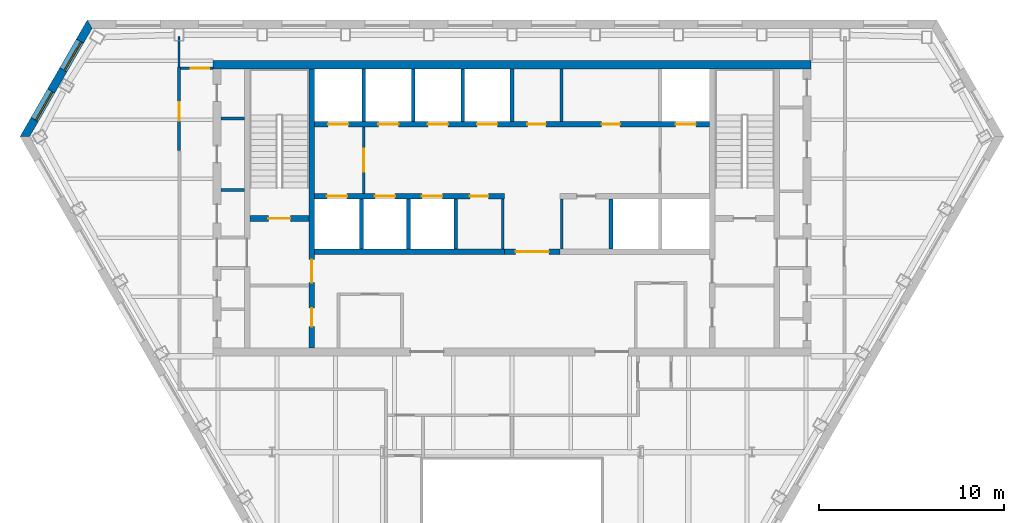
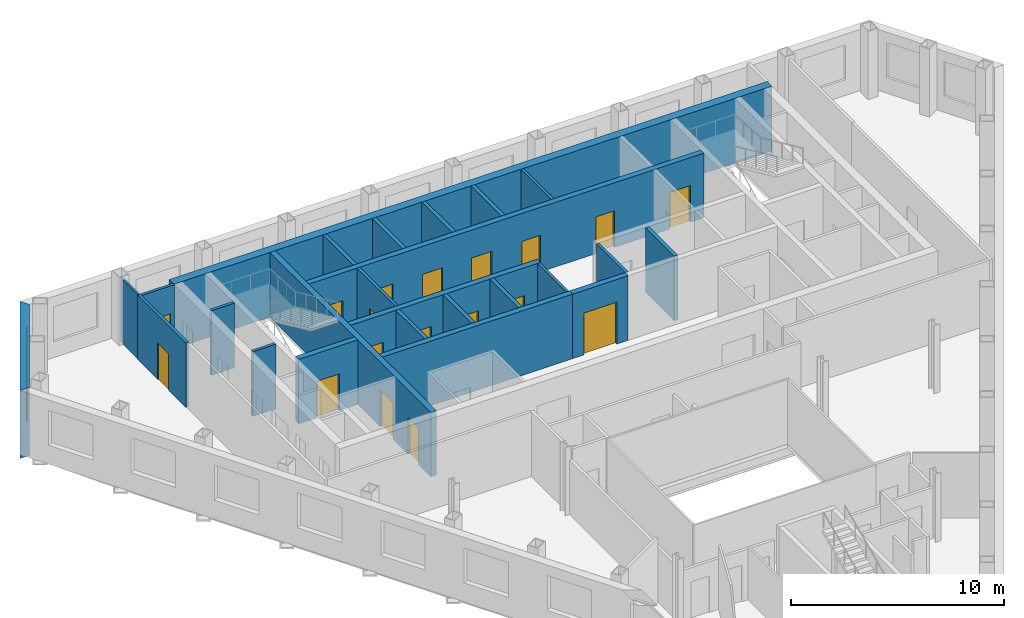
# One storey, part 6 of 11: 25 walls, 18 doors, 2 windows, 20 openings.
"""IFC4 building model written with IfcOpenShell, lengths in metres."""

import ifcopenshell
import ifcopenshell.guid

model = None  # the IFC model being written
_history = None  # IfcOwnerHistory: only IFC2X3 demands one
_inside = {}  # id of a spatial element -> (the spatial element, [elements in it])
_under = {}  # id of a project, library or spatial element -> (it, [spatial elements below it])
_declared = {}  # id of a project -> (the project, [libraries it declares])
_typed = {}  # id of a type object -> (the type object, [elements of that type])
_made_of = {}  # id of a material, layer set ... -> (it, [elements and type objects made of it])


def new_model(schema):
    """Start an empty IFC model of exactly this schema.

    Asked for "IFC4X3", IfcOpenShell would pick the latest addendum, in which some entities
    have other attributes; the version numbers below select the first issue.
    IFC2X3 requires an IfcOwnerHistory on every rooted entity: one is made here for all.
    """
    global model, _history
    if schema == "IFC4X3":
        model = ifcopenshell.file(schema_version=(4, 3, 0, 0))
    else:
        model = ifcopenshell.file(schema=schema)
    _inside.clear()
    _under.clear()
    _declared.clear()
    _typed.clear()
    _made_of.clear()
    _history = None
    if model.schema == "IFC2X3":
        org = make("IfcOrganization", Name="unknown")
        user = make(
            "IfcPersonAndOrganization",
            ThePerson=make("IfcPerson", FamilyName="unknown"),
            TheOrganization=org,
        )
        app = make(
            "IfcApplication",
            ApplicationDeveloper=org,
            Version="unknown",
            ApplicationFullName="unknown",
            ApplicationIdentifier="unknown",
        )
        _history = make(
            "IfcOwnerHistory",
            OwningUser=user,
            OwningApplication=app,
            ChangeAction="ADDED",
            CreationDate=0,
        )
    return model


def make(cls, **values):
    """One entity of the class cls with the attributes given. An attribute that is None is left unset."""
    return model.create_entity(
        cls, **{name: value for name, value in values.items() if value is not None}
    )


def rooted(cls, **values):
    """An entity with a GlobalId (a new one), such as an element, a storey or a relation."""
    return make(cls, GlobalId=ifcopenshell.guid.new(), OwnerHistory=_history, **values)


def si_unit(unit_type, name, prefix=None):
    """IfcSIUnit, for example si_unit("LENGTHUNIT", "METRE", prefix="MILLI")."""
    return make("IfcSIUnit", UnitType=unit_type, Prefix=prefix, Name=name)


def assignment(units):
    """IfcUnitAssignment: the units of a project."""
    return None if units is None else make("IfcUnitAssignment", Units=units)


def point(xyz):
    """IfcCartesianPoint."""
    return None if xyz is None else make("IfcCartesianPoint", Coordinates=xyz)


def direction(xyz):
    """IfcDirection."""
    return None if xyz is None else make("IfcDirection", DirectionRatios=xyz)


def frame(location, z_axis=None, x_axis=None):
    """IfcAxis2Placement3D, a coordinate frame: its origin and axes. An axis left out is left unset."""
    return make(
        "IfcAxis2Placement3D",
        Location=point(location),
        Axis=direction(z_axis),
        RefDirection=direction(x_axis),
    )


def frame_2d(location, x_axis=None):
    """IfcAxis2Placement2D, a coordinate frame in the plane: its origin and x axis."""
    return make(
        "IfcAxis2Placement2D", Location=point(location), RefDirection=direction(x_axis)
    )


def origin():
    """The frame at (0, 0, 0) with its axes left unset."""
    return frame((0.0, 0.0, 0.0))


def place(relative_to, where):
    """IfcLocalPlacement: puts the frame where relative to a parent placement (None: the world)."""
    return make(
        "IfcLocalPlacement", PlacementRelTo=relative_to, RelativePlacement=where
    )


def context(
    kind, dimensions, precision=None, world=None, true_north=None, identifier=None
):
    """IfcGeometricRepresentationContext, for example the 3D "Model" context."""
    return make(
        "IfcGeometricRepresentationContext",
        ContextIdentifier=identifier,
        ContextType=kind,
        CoordinateSpaceDimension=dimensions,
        Precision=precision,
        WorldCoordinateSystem=world,
        TrueNorth=true_north,
    )


def subcontext(parent, identifier, kind, view, scale=None):
    """IfcGeometricRepresentationSubContext, for example "Body" below "Model"."""
    return make(
        "IfcGeometricRepresentationSubContext",
        ContextIdentifier=identifier,
        ContextType=kind,
        ParentContext=parent,
        TargetScale=scale,
        TargetView=view,
    )


def project(units=None, contexts=None):
    """IfcProject with its units and contexts."""
    return rooted(
        "IfcProject",
        Name="project",
        RepresentationContexts=contexts,
        UnitsInContext=assignment(units),
    )


def spatial(cls, under=None, at=None, **own):
    """A site, building, storey or space (cls), placed at a placement, below another one or the project."""
    s = rooted(cls, ObjectPlacement=at, **own)
    if under is not None:
        _under.setdefault(under.id(), (under, []))[1].append(s)
    return s


def polyline(points):
    """IfcPolyline through the points."""
    return make("IfcPolyline", Points=[point(p) for p in points])


def profile(cls, at=None, kind="AREA", **sizes):
    """A parametric profile (cls). Its sizes go by their IFC names, for example OverallWidth=200.0."""
    return make(cls, ProfileType=kind, Position=at, **sizes)


def rectangle(**sizes):
    """IfcRectangleProfileDef."""
    return profile("IfcRectangleProfileDef", **sizes)


def outline(outer, holes=None, kind="AREA"):
    """IfcArbitraryClosedProfileDef: a profile drawn as a closed curve; with holes, ...WithVoids."""
    if holes is None:
        return make("IfcArbitraryClosedProfileDef", ProfileType=kind, OuterCurve=outer)
    return make(
        "IfcArbitraryProfileDefWithVoids",
        ProfileType=kind,
        OuterCurve=outer,
        InnerCurves=holes,
    )


def extrude(swept, where, along, depth):
    """IfcExtrudedAreaSolid: the profile swept, set in the frame where, extruded along a direction by depth."""
    return make(
        "IfcExtrudedAreaSolid",
        SweptArea=swept,
        Position=where,
        ExtrudedDirection=direction(along),
        Depth=depth,
    )


def shape(context_of_items, identifier, shape_type, items):
    """IfcShapeRepresentation: the items that make up one representation, for example the "Body"."""
    return make(
        "IfcShapeRepresentation",
        ContextOfItems=context_of_items,
        RepresentationIdentifier=identifier,
        RepresentationType=shape_type,
        Items=items,
    )


def material(Name=None, Category=None):
    """IfcMaterial."""
    return make("IfcMaterial", Name=Name, Category=Category)


def layer(
    of_material, thickness, ventilated=None, Name=None, Category=None, Priority=None
):
    """IfcMaterialLayer: one layer of a wall or slab, of a material (None: an air gap)."""
    return make(
        "IfcMaterialLayer",
        Material=of_material,
        LayerThickness=thickness,
        IsVentilated=ventilated,
        Name=Name,
        Category=Category,
        Priority=Priority,
    )


def layer_set(layers, Name=None):
    """IfcMaterialLayerSet."""
    return make("IfcMaterialLayerSet", MaterialLayers=layers, LayerSetName=Name)


def made_of(thing, what):
    """Note that an element or type object is made of a material, layer set ...; save() writes the relation."""
    if what is not None:
        _made_of.setdefault(what.id(), (what, []))[1].append(thing)
    return thing


def type_object(cls, material=None, **own):
    """A type object (cls), such as IfcWallType, which elements share."""
    return made_of(rooted(cls, **own), material)


def element(
    cls,
    number,
    at=None,
    inside=None,
    cuts=None,
    type_object=None,
    material=None,
    context=None,
    identifier="Body",
    shape_type=None,
    held_by="IfcProductDefinitionShape",
    body=None,
    shapes=None,
    **own,
):
    """One element of the class cls, such as IfcWall. Its Tag is "e" and its number.

    at: its placement. inside: the storey or other place that contains it. cuts: it is an
    opening in that element (IfcRelVoidsElement). A single representation is given by context,
    identifier, shape_type and body (its items); several are given by shapes. held_by: the class
    of the entity that holds the representations. save() writes the other relations.
    """
    e = rooted(cls, Tag="e%d" % number, ObjectPlacement=at, **own)
    if body is not None:
        shapes = [shape(context, identifier, shape_type, body)]
    if shapes is not None:
        e.Representation = make(held_by, Representations=shapes)
    if inside is not None:
        _inside.setdefault(inside.id(), (inside, []))[1].append(e)
    if cuts is not None:
        rooted(
            "IfcRelVoidsElement", RelatingBuildingElement=cuts, RelatedOpeningElement=e
        )
    if type_object is not None:
        _typed.setdefault(type_object.id(), (type_object, []))[1].append(e)
    return made_of(e, material)


def fill(opening, filler):
    """IfcRelFillsElement: the door or window that sits in an opening."""
    return rooted(
        "IfcRelFillsElement",
        RelatingOpeningElement=opening,
        RelatedBuildingElement=filler,
    )


def aggregate(whole, parts):
    """IfcRelAggregates: a whole, such as a stair, and the parts it consists of."""
    return rooted("IfcRelAggregates", RelatingObject=whole, RelatedObjects=parts)


def save(model, path):
    """Write the relations noted so far, then the file.

    IfcRelAggregates (storeys below a building ...), IfcRelContainedInSpatialStructure (elements
    in a storey), IfcRelDefinesByType, IfcRelAssociatesMaterial and IfcRelDeclares: one each for
    every whole, place, type object, material and project.
    """
    for whole, parts in _under.values():
        aggregate(whole, parts)
    for where, things in _inside.values():
        rooted(
            "IfcRelContainedInSpatialStructure",
            RelatedElements=things,
            RelatingStructure=where,
        )
    for kind, things in _typed.values():
        rooted("IfcRelDefinesByType", RelatedObjects=things, RelatingType=kind)
    for what, things in _made_of.values():
        rooted("IfcRelAssociatesMaterial", RelatedObjects=things, RelatingMaterial=what)
    for by, libraries in _declared.values():
        rooted("IfcRelDeclares", RelatingContext=by, RelatedDefinitions=libraries)
    model.write(path)


model = new_model("IFC4")

# Units and contexts
model_context = context("Model", 3, precision=1e-05, world=origin(), true_north=direction((0.0, 1.0)))
body_context = subcontext(model_context, "Body", "Model", "MODEL_VIEW")
ifc_project = project(units=[si_unit("LENGTHUNIT", "METRE"), si_unit("AREAUNIT", "SQUARE_METRE"), si_unit("VOLUMEUNIT", "CUBIC_METRE"), si_unit("PLANEANGLEUNIT", "RADIAN"), si_unit("MASSUNIT", "GRAM", prefix="KILO")], contexts=[model_context])

# Site, building, storey
site_placement = place(None, origin())
site = spatial("IfcSite", under=ifc_project, at=site_placement, CompositionType="ELEMENT")
building_placement = place(site_placement, origin())
building = spatial("IfcBuilding", under=site, at=building_placement, Name="Njiva Tower", CompositionType="ELEMENT")
storey_placement = place(building_placement, frame((0.0, 0.0, 204.3)))
storey = spatial("IfcBuildingStorey", under=building, at=storey_placement, Name="L45", CompositionType="ELEMENT", Elevation=204.3)

# Walls
ifc_material_1 = material(Name="Blockwork", Category="masonry")
ifc_layer_1 = layer(ifc_material_1, 0.15)
ifc_layer_set_1 = layer_set([ifc_layer_1], Name="Blockwork")
wall_type_1 = type_object("IfcWallType", Name="WT1 Compartment partition 150", PredefinedType="PARTITIONING", material=ifc_layer_set_1)
wall_1_placement = place(storey_placement, frame((2.675, 14.7, 0.0), z_axis=(0.0, 0.0, 1.0), x_axis=(0.0, 1.0, 0.0)))
element("IfcWall", 1, at=wall_1_placement, inside=storey, type_object=wall_type_1, Name="Partition CN5", PredefinedType="PARTITIONING", context=body_context, shape_type="SweptSolid", body=[
    extrude(rectangle(XDim=2.85, YDim=0.15, at=frame_2d((1.425, 0.0))), origin(), (0.0, 0.0, 1.0), 3.7),
])
for number, where, z_axis, x_axis, name in (
    (2, (-0.5, 7.8, 0.0), (0.0, 0.0, 1.0), (0.0, 1.0, 0.0), "Partition CS4"),
    (3, (2.7, 7.8, 0.0), (0.0, 0.0, 1.0), (0.0, 1.0, 0.0), "Partition CS5"),
):
    element("IfcWall", number, at=place(storey_placement, frame(where, z_axis=z_axis, x_axis=x_axis)), inside=storey, type_object=wall_type_1, Name=name, PredefinedType="PARTITIONING", context=body_context, shape_type="SweptSolid", body=[
        extrude(rectangle(XDim=2.7, YDim=0.15, at=frame_2d((1.35, 0.0))), origin(), (0.0, 0.0, 1.0), 3.7),
    ])
wall_2_placement = place(storey_placement, frame((-15.75, 10.9952, 0.0), z_axis=(0.0, 0.0, 1.0), x_axis=(1.0, 0.0, 0.0)))
element("IfcWall", 4, at=wall_2_placement, inside=storey, type_object=wall_type_1, Name="Partition strip W10", PredefinedType="PARTITIONING", context=body_context, shape_type="SweptSolid", body=[
    extrude(rectangle(XDim=1.25, YDim=0.15, at=frame_2d((0.625, 0.0))), origin(), (0.0, 0.0, 1.0), 3.7),
])

# Wall, openings, doors
ifc_material_2 = material(Name="Concrete C40/50", Category="concrete")
ifc_layer_2 = layer(ifc_material_2, 0.3)
ifc_layer_set_2 = layer_set([ifc_layer_2], Name="Concrete C40/50")
wall_type_2 = type_object("IfcWallType", Name="WT10 Stair enclosure wall 300", PredefinedType="SHEAR", material=ifc_layer_set_2)
wall_3_placement = place(storey_placement, frame((-10.85, 2.45, 0.0), z_axis=(0.0, 0.0, 1.0), x_axis=(0.0, 1.0, 0.0)))
wall_3 = element("IfcWall", 5, at=wall_3_placement, inside=storey, type_object=wall_type_2, Name="Stair wall west inner", PredefinedType="SHEAR", context=body_context, shape_type="SweptSolid", body=[
    extrude(rectangle(XDim=15.1, YDim=0.3, at=frame_2d((7.55, 0.0))), origin(), (0.0, 0.0, 1.0), 3.7),
])
opening_1_placement = place(wall_3_placement, frame((3.525, 0.0, 0.0)))
opening_1 = element("IfcOpeningElement", 6, at=opening_1_placement, cuts=wall_3, Name="Opening S15-D915", PredefinedType="OPENING", context=body_context, shape_type="SweptSolid", body=[
    extrude(rectangle(XDim=1.25, YDim=2.1, at=frame_2d((0.625, 1.05))), frame((0.0, 0.16, 0.0), z_axis=(0.0, -1.0, 0.0), x_axis=(1.0, 0.0, 0.0)), (0.0, 0.0, 1.0), 0.32),
])
opening_2_placement = place(wall_3_placement, frame((1.15, 0.0, 0.0)))
opening_2 = element("IfcOpeningElement", 7, at=opening_2_placement, cuts=wall_3, Name="Opening S15-D916", PredefinedType="OPENING", context=body_context, shape_type="SweptSolid", body=[
    extrude(rectangle(XDim=1.0, YDim=2.1, at=frame_2d((0.5, 1.05))), frame((0.0, 0.16, 0.0), z_axis=(0.0, -1.0, 0.0), x_axis=(1.0, 0.0, 0.0)), (0.0, 0.0, 1.0), 0.32),
])
ifc_material_3 = material(Name="Steel door, painted", Category="steel")
door_type_1 = type_object("IfcDoorType", Name="D5 Steel door 1000x2100", OperationType="SINGLE_SWING_LEFT", PredefinedType="DOOR", material=ifc_material_3)
door_1_placement = place(opening_2_placement, origin())
door_1 = element("IfcDoor", 8, at=door_1_placement, inside=storey, type_object=door_type_1, Name="Breakout room door", OperationType="SINGLE_SWING_RIGHT", OverallHeight=2.1, OverallWidth=1.0, PredefinedType="DOOR", context=body_context, shape_type="SweptSolid", body=[
    extrude(rectangle(XDim=1.0, YDim=2.1, at=frame_2d((0.5, 1.05))), frame((0.0, 0.025, 0.0), z_axis=(0.0, -1.0, 0.0), x_axis=(1.0, 0.0, 0.0)), (0.0, 0.0, 1.0), 0.05),
])
fill(opening_2, door_1)
ifc_material_4 = material(Name="Glazed steel fire door", Category="steel")
door_type_2 = type_object("IfcDoorType", Name="D8 Vestibule corridor door 1250x2100 glazed", OperationType="SINGLE_SWING_LEFT", PredefinedType="DOOR", material=ifc_material_4)
door_2_placement = place(opening_1_placement, origin())
door_2 = element("IfcDoor", 9, at=door_2_placement, inside=storey, type_object=door_type_2, Name="Stair vestibule corridor door", OperationType="SINGLE_SWING_LEFT", OverallHeight=2.1, OverallWidth=1.25, PredefinedType="DOOR", context=body_context, shape_type="SweptSolid", body=[
    extrude(rectangle(XDim=1.25, YDim=2.1, at=frame_2d((0.625, 1.05))), frame((0.0, 0.025, 0.0), z_axis=(0.0, -1.0, 0.0), x_axis=(1.0, 0.0, 0.0)), (0.0, 0.0, 1.0), 0.05),
])
fill(opening_1, door_2)

# Wall, opening, door
wall_4_placement = place(storey_placement, frame((-14.2, 9.45, 0.0), z_axis=(0.0, 0.0, 1.0), x_axis=(1.0, 0.0, 0.0)))
wall_4 = element("IfcWall", 10, at=wall_4_placement, inside=storey, type_object=wall_type_2, Name="Stair A south wall", PredefinedType="SHEAR", context=body_context, shape_type="SweptSolid", body=[
    extrude(rectangle(XDim=3.2, YDim=0.3, at=frame_2d((1.6, 0.0))), origin(), (0.0, 0.0, 1.0), 3.7),
])
opening_3_placement = place(wall_4_placement, frame((1.0, 0.0, 0.0)))
opening_3 = element("IfcOpeningElement", 11, at=opening_3_placement, cuts=wall_4, Name="Opening S15-D914", PredefinedType="OPENING", context=body_context, shape_type="SweptSolid", body=[
    extrude(rectangle(XDim=1.2, YDim=2.1, at=frame_2d((0.6, 1.05))), frame((0.0, 0.16, 0.0), z_axis=(0.0, -1.0, 0.0), x_axis=(1.0, 0.0, 0.0)), (0.0, 0.0, 1.0), 0.32),
])
door_type_3 = type_object("IfcDoorType", Name="D7 Stair vestibule door 1200x2100 glazed", OperationType="SINGLE_SWING_LEFT", PredefinedType="DOOR", material=ifc_material_4)
door_3_placement = place(opening_3_placement, origin())
door_3 = element("IfcDoor", 12, at=door_3_placement, inside=storey, type_object=door_type_3, Name="Stair A door", OperationType="SINGLE_SWING_LEFT", OverallHeight=2.1, OverallWidth=1.2, PredefinedType="DOOR", context=body_context, shape_type="SweptSolid", body=[
    extrude(rectangle(XDim=1.2, YDim=2.1, at=frame_2d((0.6, 1.05))), frame((0.0, 0.025, 0.0), z_axis=(0.0, -1.0, 0.0), x_axis=(1.0, 0.0, 0.0)), (0.0, 0.0, 1.0), 0.05),
])
fill(opening_3, door_3)

# Wall
ifc_material_5 = material(Name="Concrete C60/75", Category="concrete")
ifc_layer_3 = layer(ifc_material_5, 0.45)
ifc_layer_set_3 = layer_set([ifc_layer_3], Name="Concrete C60/75")
wall_type_3 = type_object("IfcWallType", Name="WT12 Core wall 450", PredefinedType="SHEAR", material=ifc_layer_set_3)
wall_5_placement = place(storey_placement, frame((-16.2, 17.775, 0.0), z_axis=(0.0, 0.0, 1.0), x_axis=(1.0, 0.0, 0.0)))
element("IfcWall", 13, at=wall_5_placement, inside=storey, type_object=wall_type_3, Name="Core wall north", PredefinedType="SHEAR", context=body_context, shape_type="SweptSolid", body=[
    extrude(rectangle(XDim=32.4, YDim=0.45, at=frame_2d((16.2, 0.0))), origin(), (0.0, 0.0, 1.0), 3.7),
])

# Wall, opening, door
ifc_layer_4 = layer(ifc_material_1, 0.15)
ifc_layer_set_4 = layer_set([ifc_layer_4], Name="Blockwork")
wall_type_4 = type_object("IfcWallType", Name="WT2 Lobby partition 150", PredefinedType="PARTITIONING", material=ifc_layer_set_4)
wall_6_placement = place(storey_placement, frame((-8.025, 10.8, 0.0), z_axis=(0.0, 0.0, 1.0), x_axis=(0.0, 1.0, 0.0)))
wall_6 = element("IfcWall", 14, at=wall_6_placement, inside=storey, type_object=wall_type_4, Name="Firefighting lobby wall A", PredefinedType="PARTITIONING", context=body_context, shape_type="SweptSolid", body=[
    extrude(rectangle(XDim=3.6, YDim=0.15, at=frame_2d((1.8, 0.0))), origin(), (0.0, 0.0, 1.0), 3.7),
])
opening_4_placement = place(wall_6_placement, frame((1.175, 0.0, 0.0)))
opening_4 = element("IfcOpeningElement", 15, at=opening_4_placement, cuts=wall_6, Name="Opening S15-D913", PredefinedType="OPENING", context=body_context, shape_type="SweptSolid", body=[
    extrude(rectangle(XDim=1.25, YDim=2.1, at=frame_2d((0.625, 1.05))), frame((0.0, 0.085, 0.0), z_axis=(0.0, -1.0, 0.0), x_axis=(1.0, 0.0, 0.0)), (0.0, 0.0, 1.0), 0.17),
])
door_4_placement = place(opening_4_placement, origin())
door_4 = element("IfcDoor", 16, at=door_4_placement, inside=storey, type_object=door_type_2, Name="Stair vestibule corridor door", OperationType="SINGLE_SWING_RIGHT", OverallHeight=2.1, OverallWidth=1.25, PredefinedType="DOOR", context=body_context, shape_type="SweptSolid", body=[
    extrude(rectangle(XDim=1.25, YDim=2.1, at=frame_2d((0.625, 1.05))), frame((0.0, 0.025, 0.0), z_axis=(0.0, -1.0, 0.0), x_axis=(1.0, 0.0, 0.0)), (0.0, 0.0, 1.0), 0.05),
])
fill(opening_4, door_4)

# Wall
ifc_material_6 = material(Name="Gypsum board on steel studs", Category="gypsum")
ifc_layer_5 = layer(ifc_material_6, 0.1)
ifc_layer_set_5 = layer_set([ifc_layer_5], Name="Gypsum board on steel studs")
wall_type_5 = type_object("IfcWallType", Name="WT20 Gypsum partition 100", PredefinedType="PARTITIONING", material=ifc_layer_set_5)
wall_7_placement = place(storey_placement, frame((-18.031, 17.657, 0.0), z_axis=(0.0, 0.0, 1.0), x_axis=(0.0, 1.0, 0.0)))
element("IfcWall", 17, at=wall_7_placement, inside=storey, type_object=wall_type_5, Name="Partition S15-P002", PredefinedType="PARTITIONING", context=body_context, shape_type="SweptSolid", body=[
    extrude(rectangle(XDim=1.643, YDim=0.1, at=frame_2d((0.8215, 0.0))), origin(), (0.0, 0.0, 1.0), 3.7),
])

# Wall, opening, door
ifc_layer_6 = layer(ifc_material_6, 0.15)
ifc_layer_set_6 = layer_set([ifc_layer_6], Name="Gypsum board on steel studs")
wall_type_6 = type_object("IfcWallType", Name="WT21 Compartment wall 150", PredefinedType="PARTITIONING", material=ifc_layer_set_6)
wall_8_placement = place(storey_placement, frame((-18.031, 13.123, 0.0), z_axis=(0.0, 0.0, 1.0), x_axis=(0.0, 1.0, 0.0)))
wall_8 = element("IfcWall", 18, at=wall_8_placement, inside=storey, type_object=wall_type_6, Name="Partition S15-P001", PredefinedType="PARTITIONING", context=body_context, shape_type="SweptSolid", body=[
    extrude(rectangle(XDim=4.534, YDim=0.15, at=frame_2d((2.267, 0.0))), origin(), (0.0, 0.0, 1.0), 3.7),
])
opening_5_placement = place(wall_8_placement, frame((1.633, 0.0, 0.0)))
opening_5 = element("IfcOpeningElement", 19, at=opening_5_placement, cuts=wall_8, Name="Opening S15-D001", PredefinedType="OPENING", context=body_context, shape_type="SweptSolid", body=[
    extrude(rectangle(XDim=1.0, YDim=2.1, at=frame_2d((0.5, 1.05))), frame((0.0, 0.085, 0.0), z_axis=(0.0, -1.0, 0.0), x_axis=(1.0, 0.0, 0.0)), (0.0, 0.0, 1.0), 0.17),
])
ifc_material_7 = material(Name="Steel fire door set", Category="steel")
door_type_4 = type_object("IfcDoorType", Name="D37 Fire door 1000x2100", OperationType="SINGLE_SWING_LEFT", PredefinedType="DOOR", material=ifc_material_7)
door_5_placement = place(opening_5_placement, origin())
door_5 = element("IfcDoor", 20, at=door_5_placement, inside=storey, type_object=door_type_4, Name="Door S15-D001", OperationType="SINGLE_SWING_RIGHT", OverallHeight=2.1, OverallWidth=1.0, PredefinedType="DOOR", context=body_context, shape_type="SweptSolid", body=[
    extrude(rectangle(XDim=1.0, YDim=2.1, at=frame_2d((0.5, 1.05))), frame((0.0, 0.025, 0.0), z_axis=(0.0, -1.0, 0.0), x_axis=(1.0, 0.0, 0.0)), (0.0, 0.0, 1.0), 0.05),
])
fill(opening_5, door_5)

wall_9_placement = place(storey_placement, frame((-17.956, 17.582, 0.0), z_axis=(0.0, 0.0, 1.0), x_axis=(1.0, 0.0, 0.0)))
wall_9 = element("IfcWall", 21, at=wall_9_placement, inside=storey, type_object=wall_type_6, Name="Partition S15-P004", PredefinedType="PARTITIONING", context=body_context, shape_type="SweptSolid", body=[
    extrude(rectangle(XDim=1.756, YDim=0.15, at=frame_2d((0.878, 0.0))), origin(), (0.0, 0.0, 1.0), 3.7),
])
opening_6_placement = place(wall_9_placement, frame((0.556, 0.0, 0.0)))
opening_6 = element("IfcOpeningElement", 22, at=opening_6_placement, cuts=wall_9, Name="Opening S15-D002", PredefinedType="OPENING", context=body_context, shape_type="SweptSolid", body=[
    extrude(rectangle(XDim=1.0, YDim=2.1, at=frame_2d((0.5, 1.05))), frame((0.0, 0.085, 0.0), z_axis=(0.0, -1.0, 0.0), x_axis=(1.0, 0.0, 0.0)), (0.0, 0.0, 1.0), 0.17),
])
door_6_placement = place(opening_6_placement, origin())
door_6 = element("IfcDoor", 23, at=door_6_placement, inside=storey, type_object=door_type_4, Name="Door S15-D002", OperationType="SINGLE_SWING_LEFT", OverallHeight=2.1, OverallWidth=1.0, PredefinedType="DOOR", context=body_context, shape_type="SweptSolid", body=[
    extrude(rectangle(XDim=1.0, YDim=2.1, at=frame_2d((0.5, 1.05))), frame((0.0, 0.025, 0.0), z_axis=(0.0, -1.0, 0.0), x_axis=(1.0, 0.0, 0.0)), (0.0, 0.0, 1.0), 0.05),
])
fill(opening_6, door_6)

# Wall
ifc_layer_7 = layer(ifc_material_1, 0.15)
ifc_layer_set_7 = layer_set([ifc_layer_7], Name="Blockwork")
wall_type_7 = type_object("IfcWallType", Name="WT3 Riser partition 150", PredefinedType="PARTITIONING", material=ifc_layer_set_7)
wall_10_placement = place(storey_placement, frame((-15.75, 14.8686, 0.0), z_axis=(0.0, 0.0, 1.0), x_axis=(1.0, 0.0, 0.0)))
element("IfcWall", 24, at=wall_10_placement, inside=storey, type_object=wall_type_7, Name="Partition strip W11", PredefinedType="PARTITIONING", context=body_context, shape_type="SweptSolid", body=[
    extrude(rectangle(XDim=1.25, YDim=0.15, at=frame_2d((0.625, 0.0))), origin(), (0.0, 0.0, 1.0), 3.7),
])

# Wall, opening, door
ifc_layer_8 = layer(ifc_material_1, 0.3)
ifc_layer_set_8 = layer_set([ifc_layer_8], Name="Blockwork")
wall_type_8 = type_object("IfcWallType", Name="WT5 Lobby partition 300", PredefinedType="PARTITIONING", material=ifc_layer_set_8)
wall_11_placement = place(storey_placement, frame((-0.4, 7.65, 0.0), z_axis=(0.0, 0.0, 1.0), x_axis=(1.0, 0.0, 0.0)))
wall_11 = element("IfcWall", 25, at=wall_11_placement, inside=storey, type_object=wall_type_8, Name="Lift lobby screen wall", PredefinedType="PARTITIONING", context=body_context, shape_type="SweptSolid", body=[
    extrude(rectangle(XDim=3.0, YDim=0.3, at=frame_2d((1.5, 0.0))), origin(), (0.0, 0.0, 1.0), 3.7),
])
opening_7_placement = place(wall_11_placement, frame((0.6, 0.0, 0.0)))
opening_7 = element("IfcOpeningElement", 26, at=opening_7_placement, cuts=wall_11, Name="Opening S15-D937", PredefinedType="OPENING", context=body_context, shape_type="SweptSolid", body=[
    extrude(rectangle(XDim=1.8, YDim=2.4, at=frame_2d((0.9, 1.2))), frame((0.0, 0.16, 0.0), z_axis=(0.0, -1.0, 0.0), x_axis=(1.0, 0.0, 0.0)), (0.0, 0.0, 1.0), 0.32),
])
ifc_material_8 = material(Name="Steel and glass door", Category="steel")
door_type_5 = type_object("IfcDoorType", Name="D3 Core entrance door 1800x2400", OperationType="DOUBLE_DOOR_SINGLE_SWING", PredefinedType="DOOR", material=ifc_material_8)
door_7_placement = place(opening_7_placement, origin())
door_7 = element("IfcDoor", 27, at=door_7_placement, inside=storey, type_object=door_type_5, Name="Core entrance door", OperationType="DOUBLE_DOOR_SINGLE_SWING", OverallHeight=2.4, OverallWidth=1.8, PredefinedType="DOOR", context=body_context, shape_type="SweptSolid", body=[
    extrude(rectangle(XDim=1.8, YDim=2.4, at=frame_2d((0.9, 1.2))), frame((0.0, 0.025, 0.0), z_axis=(0.0, -1.0, 0.0), x_axis=(1.0, 0.0, 0.0)), (0.0, 0.0, 1.0), 0.05),
])
fill(opening_7, door_7)

# Walls
ifc_layer_9 = layer(ifc_material_2, 0.2)
ifc_layer_set_9 = layer_set([ifc_layer_9], Name="Concrete C40/50")
wall_type_9 = type_object("IfcWallType", Name="WT6 Lift shaft wall 200", PredefinedType="SHEAR", material=ifc_layer_set_9)
for number, where, z_axis, x_axis, name in (
    (28, (-8.025, 14.7, 0.0), (0.0, 0.0, 1.0), (0.0, 1.0, 0.0), "Shaft wall CN1"),
    (29, (-5.35, 14.7, 0.0), (0.0, 0.0, 1.0), (0.0, 1.0, 0.0), "Shaft wall CN2"),
    (30, (-2.675, 14.7, 0.0), (0.0, 0.0, 1.0), (0.0, 1.0, 0.0), "Shaft wall CN3"),
    (31, (0.0, 14.7, 0.0), (0.0, 0.0, 1.0), (0.0, 1.0, 0.0), "Shaft wall CN4"),
):
    element("IfcWall", number, at=place(storey_placement, frame(where, z_axis=z_axis, x_axis=x_axis)), inside=storey, type_object=wall_type_9, Name=name, PredefinedType="SHEAR", context=body_context, shape_type="SweptSolid", body=[
        extrude(rectangle(XDim=2.85, YDim=0.2, at=frame_2d((1.425, 0.0))), origin(), (0.0, 0.0, 1.0), 3.7),
    ])
for number, where, z_axis, x_axis, name in (
    (32, (-8.15, 7.8, 0.0), (0.0, 0.0, 1.0), (0.0, 1.0, 0.0), "Shaft wall CS1"),
    (33, (-5.6, 7.8, 0.0), (0.0, 0.0, 1.0), (0.0, 1.0, 0.0), "Shaft wall CS2"),
    (34, (-3.05, 7.8, 0.0), (0.0, 0.0, 1.0), (0.0, 1.0, 0.0), "Shaft wall CS3"),
    (35, (5.3667, 7.8, 0.0), (0.0, 0.0, 1.0), (0.0, 1.0, 0.0), "Shaft wall CS6"),
):
    element("IfcWall", number, at=place(storey_placement, frame(where, z_axis=z_axis, x_axis=x_axis)), inside=storey, type_object=wall_type_9, Name=name, PredefinedType="SHEAR", context=body_context, shape_type="SweptSolid", body=[
        extrude(rectangle(XDim=2.7, YDim=0.2, at=frame_2d((1.35, 0.0))), origin(), (0.0, 0.0, 1.0), 3.7),
    ])

# Wall, openings, doors
ifc_layer_10 = layer(ifc_material_2, 0.3)
ifc_layer_set_10 = layer_set([ifc_layer_10], Name="Concrete C40/50")
wall_type_10 = type_object("IfcWallType", Name="WT7 Lift shaft wall 300", PredefinedType="SHEAR", material=ifc_layer_set_10)
wall_12_placement = place(storey_placement, frame((-10.7, 14.55, 0.0), z_axis=(0.0, 0.0, 1.0), x_axis=(1.0, 0.0, 0.0)))
wall_12 = element("IfcWall", 36, at=wall_12_placement, inside=storey, type_object=wall_type_10, Name="Shaft wall north row lobby side", PredefinedType="SHEAR", context=body_context, shape_type="SweptSolid", body=[
    extrude(rectangle(XDim=21.4, YDim=0.3, at=frame_2d((10.7, 0.0))), origin(), (0.0, 0.0, 1.0), 3.7),
])
opening_8_placement = place(wall_12_placement, frame((0.7375, 0.0, 0.0)))
opening_8 = element("IfcOpeningElement", 37, at=opening_8_placement, cuts=wall_12, Name="Opening S15-D901", PredefinedType="OPENING", context=body_context, shape_type="SweptSolid", body=[
    extrude(rectangle(XDim=1.1, YDim=2.1, at=frame_2d((0.55, 1.05))), frame((0.0, 0.16, 0.0), z_axis=(0.0, -1.0, 0.0), x_axis=(1.0, 0.0, 0.0)), (0.0, 0.0, 1.0), 0.32),
])
opening_9_placement = place(wall_12_placement, frame((3.4625, 0.0, 0.0)))
opening_9 = element("IfcOpeningElement", 38, at=opening_9_placement, cuts=wall_12, Name="Opening S15-D902", PredefinedType="OPENING", context=body_context, shape_type="SweptSolid", body=[
    extrude(rectangle(XDim=1.1, YDim=2.1, at=frame_2d((0.55, 1.05))), frame((0.0, 0.16, 0.0), z_axis=(0.0, -1.0, 0.0), x_axis=(1.0, 0.0, 0.0)), (0.0, 0.0, 1.0), 0.32),
])
opening_10_placement = place(wall_12_placement, frame((6.1375, 0.0, 0.0)))
opening_10 = element("IfcOpeningElement", 39, at=opening_10_placement, cuts=wall_12, Name="Opening S15-D903", PredefinedType="OPENING", context=body_context, shape_type="SweptSolid", body=[
    extrude(rectangle(XDim=1.1, YDim=2.1, at=frame_2d((0.55, 1.05))), frame((0.0, 0.16, 0.0), z_axis=(0.0, -1.0, 0.0), x_axis=(1.0, 0.0, 0.0)), (0.0, 0.0, 1.0), 0.32),
])
opening_11_placement = place(wall_12_placement, frame((8.8125, 0.0, 0.0)))
opening_11 = element("IfcOpeningElement", 40, at=opening_11_placement, cuts=wall_12, Name="Opening S15-D904", PredefinedType="OPENING", context=body_context, shape_type="SweptSolid", body=[
    extrude(rectangle(XDim=1.1, YDim=2.1, at=frame_2d((0.55, 1.05))), frame((0.0, 0.16, 0.0), z_axis=(0.0, -1.0, 0.0), x_axis=(1.0, 0.0, 0.0)), (0.0, 0.0, 1.0), 0.32),
])
opening_12_placement = place(wall_12_placement, frame((19.5625, 0.0, 0.0)))
opening_12 = element("IfcOpeningElement", 41, at=opening_12_placement, cuts=wall_12, Name="Opening S15-D905", PredefinedType="OPENING", context=body_context, shape_type="SweptSolid", body=[
    extrude(rectangle(XDim=1.1, YDim=2.1, at=frame_2d((0.55, 1.05))), frame((0.0, 0.16, 0.0), z_axis=(0.0, -1.0, 0.0), x_axis=(1.0, 0.0, 0.0)), (0.0, 0.0, 1.0), 0.32),
])
opening_13_placement = place(wall_12_placement, frame((11.5375, 0.0, 0.0)))
opening_13 = element("IfcOpeningElement", 42, at=opening_13_placement, cuts=wall_12, Name="Opening S15-D909", PredefinedType="OPENING", context=body_context, shape_type="SweptSolid", body=[
    extrude(rectangle(XDim=1.0, YDim=2.1, at=frame_2d((0.5, 1.05))), frame((0.0, 0.16, 0.0), z_axis=(0.0, -1.0, 0.0), x_axis=(1.0, 0.0, 0.0)), (0.0, 0.0, 1.0), 0.32),
])
opening_14_placement = place(wall_12_placement, frame((15.55, 0.0, 0.0)))
opening_14 = element("IfcOpeningElement", 43, at=opening_14_placement, cuts=wall_12, Name="Opening S15-D910", PredefinedType="OPENING", context=body_context, shape_type="SweptSolid", body=[
    extrude(rectangle(XDim=1.0, YDim=2.1, at=frame_2d((0.5, 1.05))), frame((0.0, 0.16, 0.0), z_axis=(0.0, -1.0, 0.0), x_axis=(1.0, 0.0, 0.0)), (0.0, 0.0, 1.0), 0.32),
])
door_8_placement = place(opening_13_placement, origin())
door_8 = element("IfcDoor", 44, at=door_8_placement, inside=storey, type_object=door_type_1, Name="Breakout room door", OperationType="SINGLE_SWING_LEFT", OverallHeight=2.1, OverallWidth=1.0, PredefinedType="DOOR", context=body_context, shape_type="SweptSolid", body=[
    extrude(rectangle(XDim=1.0, YDim=2.1, at=frame_2d((0.5, 1.05))), frame((0.0, 0.025, 0.0), z_axis=(0.0, -1.0, 0.0), x_axis=(1.0, 0.0, 0.0)), (0.0, 0.0, 1.0), 0.05),
])
fill(opening_13, door_8)
door_9_placement = place(opening_14_placement, origin())
door_9 = element("IfcDoor", 45, at=door_9_placement, inside=storey, type_object=door_type_1, Name="Reading room door", OperationType="SINGLE_SWING_LEFT", OverallHeight=2.1, OverallWidth=1.0, PredefinedType="DOOR", context=body_context, shape_type="SweptSolid", body=[
    extrude(rectangle(XDim=1.0, YDim=2.1, at=frame_2d((0.5, 1.05))), frame((0.0, 0.025, 0.0), z_axis=(0.0, -1.0, 0.0), x_axis=(1.0, 0.0, 0.0)), (0.0, 0.0, 1.0), 0.05),
])
fill(opening_14, door_9)
ifc_material_9 = material(Name="Stainless steel sliding door", Category="steel")
door_type_6 = type_object("IfcDoorType", Name="LD Lift landing door 1100x2100", OperationType="SLIDING_TO_LEFT", PredefinedType="DOOR", material=ifc_material_9)
door_10_placement = place(opening_8_placement, origin())
door_10 = element("IfcDoor", 46, at=door_10_placement, inside=storey, type_object=door_type_6, Name="Lift landing door FF1", OperationType="SLIDING_TO_LEFT", OverallHeight=2.1, OverallWidth=1.1, PredefinedType="DOOR", context=body_context, shape_type="SweptSolid", body=[
    extrude(rectangle(XDim=1.1, YDim=2.1, at=frame_2d((0.55, 1.05))), frame((0.0, 0.025, 0.0), z_axis=(0.0, -1.0, 0.0), x_axis=(1.0, 0.0, 0.0)), (0.0, 0.0, 1.0), 0.05),
])
fill(opening_8, door_10)
door_11_placement = place(opening_9_placement, origin())
door_11 = element("IfcDoor", 47, at=door_11_placement, inside=storey, type_object=door_type_6, Name="Lift landing door MB4", OperationType="SLIDING_TO_LEFT", OverallHeight=2.1, OverallWidth=1.1, PredefinedType="DOOR", context=body_context, shape_type="SweptSolid", body=[
    extrude(rectangle(XDim=1.1, YDim=2.1, at=frame_2d((0.55, 1.05))), frame((0.0, 0.025, 0.0), z_axis=(0.0, -1.0, 0.0), x_axis=(1.0, 0.0, 0.0)), (0.0, 0.0, 1.0), 0.05),
])
fill(opening_9, door_11)
door_12_placement = place(opening_10_placement, origin())
door_12 = element("IfcDoor", 48, at=door_12_placement, inside=storey, type_object=door_type_6, Name="Lift landing door MB5", OperationType="SLIDING_TO_LEFT", OverallHeight=2.1, OverallWidth=1.1, PredefinedType="DOOR", context=body_context, shape_type="SweptSolid", body=[
    extrude(rectangle(XDim=1.1, YDim=2.1, at=frame_2d((0.55, 1.05))), frame((0.0, 0.025, 0.0), z_axis=(0.0, -1.0, 0.0), x_axis=(1.0, 0.0, 0.0)), (0.0, 0.0, 1.0), 0.05),
])
fill(opening_10, door_12)
door_13_placement = place(opening_11_placement, origin())
door_13 = element("IfcDoor", 49, at=door_13_placement, inside=storey, type_object=door_type_6, Name="Lift landing door MB6", OperationType="SLIDING_TO_LEFT", OverallHeight=2.1, OverallWidth=1.1, PredefinedType="DOOR", context=body_context, shape_type="SweptSolid", body=[
    extrude(rectangle(XDim=1.1, YDim=2.1, at=frame_2d((0.55, 1.05))), frame((0.0, 0.025, 0.0), z_axis=(0.0, -1.0, 0.0), x_axis=(1.0, 0.0, 0.0)), (0.0, 0.0, 1.0), 0.05),
])
fill(opening_11, door_13)
door_14_placement = place(opening_12_placement, origin())
door_14 = element("IfcDoor", 50, at=door_14_placement, inside=storey, type_object=door_type_6, Name="Lift landing door FF2", OperationType="SLIDING_TO_LEFT", OverallHeight=2.1, OverallWidth=1.1, PredefinedType="DOOR", context=body_context, shape_type="SweptSolid", body=[
    extrude(rectangle(XDim=1.1, YDim=2.1, at=frame_2d((0.55, 1.05))), frame((0.0, 0.025, 0.0), z_axis=(0.0, -1.0, 0.0), x_axis=(1.0, 0.0, 0.0)), (0.0, 0.0, 1.0), 0.05),
])
fill(opening_12, door_14)

wall_13_placement = place(storey_placement, frame((-10.7, 10.65, 0.0), z_axis=(0.0, 0.0, 1.0), x_axis=(1.0, 0.0, 0.0)))
wall_13 = element("IfcWall", 51, at=wall_13_placement, inside=storey, type_object=wall_type_10, Name="Shaft wall south row lobby side W", PredefinedType="SHEAR", context=body_context, shape_type="SweptSolid", body=[
    extrude(rectangle(XDim=10.3, YDim=0.3, at=frame_2d((5.15, 0.0))), origin(), (0.0, 0.0, 1.0), 3.7),
])
opening_15_placement = place(wall_13_placement, frame((0.675, 0.0, 0.0)))
opening_15 = element("IfcOpeningElement", 52, at=opening_15_placement, cuts=wall_13, Name="Opening S15-D906", PredefinedType="OPENING", context=body_context, shape_type="SweptSolid", body=[
    extrude(rectangle(XDim=1.1, YDim=2.1, at=frame_2d((0.55, 1.05))), frame((0.0, 0.16, 0.0), z_axis=(0.0, -1.0, 0.0), x_axis=(1.0, 0.0, 0.0)), (0.0, 0.0, 1.0), 0.32),
])
opening_16_placement = place(wall_13_placement, frame((3.275, 0.0, 0.0)))
opening_16 = element("IfcOpeningElement", 53, at=opening_16_placement, cuts=wall_13, Name="Opening S15-D907", PredefinedType="OPENING", context=body_context, shape_type="SweptSolid", body=[
    extrude(rectangle(XDim=1.1, YDim=2.1, at=frame_2d((0.55, 1.05))), frame((0.0, 0.16, 0.0), z_axis=(0.0, -1.0, 0.0), x_axis=(1.0, 0.0, 0.0)), (0.0, 0.0, 1.0), 0.32),
])
opening_17_placement = place(wall_13_placement, frame((5.825, 0.0, 0.0)))
opening_17 = element("IfcOpeningElement", 54, at=opening_17_placement, cuts=wall_13, Name="Opening S15-D908", PredefinedType="OPENING", context=body_context, shape_type="SweptSolid", body=[
    extrude(rectangle(XDim=1.1, YDim=2.1, at=frame_2d((0.55, 1.05))), frame((0.0, 0.16, 0.0), z_axis=(0.0, -1.0, 0.0), x_axis=(1.0, 0.0, 0.0)), (0.0, 0.0, 1.0), 0.32),
])
opening_18_placement = place(wall_13_placement, frame((8.425, 0.0, 0.0)))
opening_18 = element("IfcOpeningElement", 55, at=opening_18_placement, cuts=wall_13, Name="Opening S15-D911", PredefinedType="OPENING", context=body_context, shape_type="SweptSolid", body=[
    extrude(rectangle(XDim=1.0, YDim=2.1, at=frame_2d((0.5, 1.05))), frame((0.0, 0.16, 0.0), z_axis=(0.0, -1.0, 0.0), x_axis=(1.0, 0.0, 0.0)), (0.0, 0.0, 1.0), 0.32),
])
door_15_placement = place(opening_18_placement, origin())
door_15 = element("IfcDoor", 56, at=door_15_placement, inside=storey, type_object=door_type_1, Name="Quiet room door", OperationType="SINGLE_SWING_RIGHT", OverallHeight=2.1, OverallWidth=1.0, PredefinedType="DOOR", context=body_context, shape_type="SweptSolid", body=[
    extrude(rectangle(XDim=1.0, YDim=2.1, at=frame_2d((0.5, 1.05))), frame((0.0, 0.025, 0.0), z_axis=(0.0, -1.0, 0.0), x_axis=(1.0, 0.0, 0.0)), (0.0, 0.0, 1.0), 0.05),
])
fill(opening_18, door_15)
door_16_placement = place(opening_15_placement, origin())
door_16 = element("IfcDoor", 57, at=door_16_placement, inside=storey, type_object=door_type_6, Name="Lift landing door MB1", OperationType="SLIDING_TO_LEFT", OverallHeight=2.1, OverallWidth=1.1, PredefinedType="DOOR", context=body_context, shape_type="SweptSolid", body=[
    extrude(rectangle(XDim=1.1, YDim=2.1, at=frame_2d((0.55, 1.05))), frame((0.0, 0.025, 0.0), z_axis=(0.0, -1.0, 0.0), x_axis=(1.0, 0.0, 0.0)), (0.0, 0.0, 1.0), 0.05),
])
fill(opening_15, door_16)
door_17_placement = place(opening_16_placement, origin())
door_17 = element("IfcDoor", 58, at=door_17_placement, inside=storey, type_object=door_type_6, Name="Lift landing door MB2", OperationType="SLIDING_TO_LEFT", OverallHeight=2.1, OverallWidth=1.1, PredefinedType="DOOR", context=body_context, shape_type="SweptSolid", body=[
    extrude(rectangle(XDim=1.1, YDim=2.1, at=frame_2d((0.55, 1.05))), frame((0.0, 0.025, 0.0), z_axis=(0.0, -1.0, 0.0), x_axis=(1.0, 0.0, 0.0)), (0.0, 0.0, 1.0), 0.05),
])
fill(opening_16, door_17)
door_18_placement = place(opening_17_placement, origin())
door_18 = element("IfcDoor", 59, at=door_18_placement, inside=storey, type_object=door_type_6, Name="Lift landing door MB3", OperationType="SLIDING_TO_LEFT", OverallHeight=2.1, OverallWidth=1.1, PredefinedType="DOOR", context=body_context, shape_type="SweptSolid", body=[
    extrude(rectangle(XDim=1.1, YDim=2.1, at=frame_2d((0.55, 1.05))), frame((0.0, 0.025, 0.0), z_axis=(0.0, -1.0, 0.0), x_axis=(1.0, 0.0, 0.0)), (0.0, 0.0, 1.0), 0.05),
])
fill(opening_17, door_18)

# Wall
wall_14_placement = place(storey_placement, frame((-10.7, 7.65, 0.0), z_axis=(0.0, 0.0, 1.0), x_axis=(1.0, 0.0, 0.0)))
element("IfcWall", 60, at=wall_14_placement, inside=storey, type_object=wall_type_10, Name="Shaft wall south row back W", PredefinedType="SHEAR", context=body_context, shape_type="SweptSolid", body=[
    extrude(rectangle(XDim=10.3, YDim=0.3, at=frame_2d((5.15, 0.0))), origin(), (0.0, 0.0, 1.0), 3.7),
])

# Wall, openings, windows
ifc_material_10 = material(Name="Brick masonry, buff", Category="masonry")
ifc_layer_11 = layer(ifc_material_10, 0.45)
ifc_layer_set_11 = layer_set([ifc_layer_11], Name="Brick masonry, buff")
wall_type_11 = type_object("IfcWallType", Name="WT94 Brick pier and spandrel wall 450, buff", PredefinedType="SOLIDWALL", material=ifc_layer_set_11)
wall_15_placement = place(storey_placement, frame((-22.8701, 19.975, -0.4), z_axis=(0.0, 0.0, 1.0), x_axis=(-0.500001958282, -0.866024273167, 0.0)))
wall_15 = element("IfcWall", 61, at=wall_15_placement, inside=storey, type_object=wall_type_11, Name="Facade wall NW", PredefinedType="SOLIDWALL", context=body_context, shape_type="SweptSolid", body=[
    extrude(outline(polyline([(-0.1299, -0.225), (7.1601, -0.225), (6.9003, 0.225), (0.1299, 0.225), (-0.1299, -0.225)])), origin(), (0.0, 0.0, 1.0), 3.9),
])
opening_19_placement = place(wall_15_placement, frame((1.0619, 0.0, 1.3)))
opening_19 = element("IfcOpeningElement", 62, at=opening_19_placement, cuts=wall_15, Name="Opening S15-W10", PredefinedType="OPENING", context=body_context, shape_type="SweptSolid", body=[
    extrude(rectangle(XDim=1.8, YDim=2.0, at=frame_2d((0.9, 1.0))), frame((0.0, 0.235, 0.0), z_axis=(0.0, -1.0, 0.0), x_axis=(1.0, 0.0, 0.0)), (0.0, 0.0, 1.0), 0.47),
])
opening_20_placement = place(wall_15_placement, frame((4.1682, 0.0, 1.3)))
opening_20 = element("IfcOpeningElement", 63, at=opening_20_placement, cuts=wall_15, Name="Opening S15-W11", PredefinedType="OPENING", context=body_context, shape_type="SweptSolid", body=[
    extrude(rectangle(XDim=1.8, YDim=2.0, at=frame_2d((0.9, 1.0))), frame((0.0, 0.235, 0.0), z_axis=(0.0, -1.0, 0.0), x_axis=(1.0, 0.0, 0.0)), (0.0, 0.0, 1.0), 0.47),
])
ifc_material_11 = material(Name="Clear glazing in aluminium frame", Category="aluminium")
window_type = type_object("IfcWindowType", Name="W94 Deep-set window 1800x2000", PartitioningType="SINGLE_PANEL", PredefinedType="WINDOW", material=ifc_material_11)
window_1_placement = place(opening_19_placement, origin())
window_1 = element("IfcWindow", 64, at=window_1_placement, inside=storey, type_object=window_type, Name="Window", OverallHeight=2.0, OverallWidth=1.8, PartitioningType="SINGLE_PANEL", PredefinedType="WINDOW", context=body_context, shape_type="SweptSolid", body=[
    extrude(rectangle(XDim=1.8, YDim=2.0, at=frame_2d((0.9, 1.0))), frame((0.0, 0.105, 0.0), z_axis=(0.0, -1.0, 0.0), x_axis=(1.0, 0.0, 0.0)), (0.0, 0.0, 1.0), 0.06),
])
fill(opening_19, window_1)
window_2_placement = place(opening_20_placement, origin())
window_2 = element("IfcWindow", 65, at=window_2_placement, inside=storey, type_object=window_type, Name="Window", OverallHeight=2.0, OverallWidth=1.8, PartitioningType="SINGLE_PANEL", PredefinedType="WINDOW", context=body_context, shape_type="SweptSolid", body=[
    extrude(rectangle(XDim=1.8, YDim=2.0, at=frame_2d((0.9, 1.0))), frame((0.0, 0.105, 0.0), z_axis=(0.0, -1.0, 0.0), x_axis=(1.0, 0.0, 0.0)), (0.0, 0.0, 1.0), 0.06),
])
fill(opening_20, window_2)

save(model, "model.ifc")
